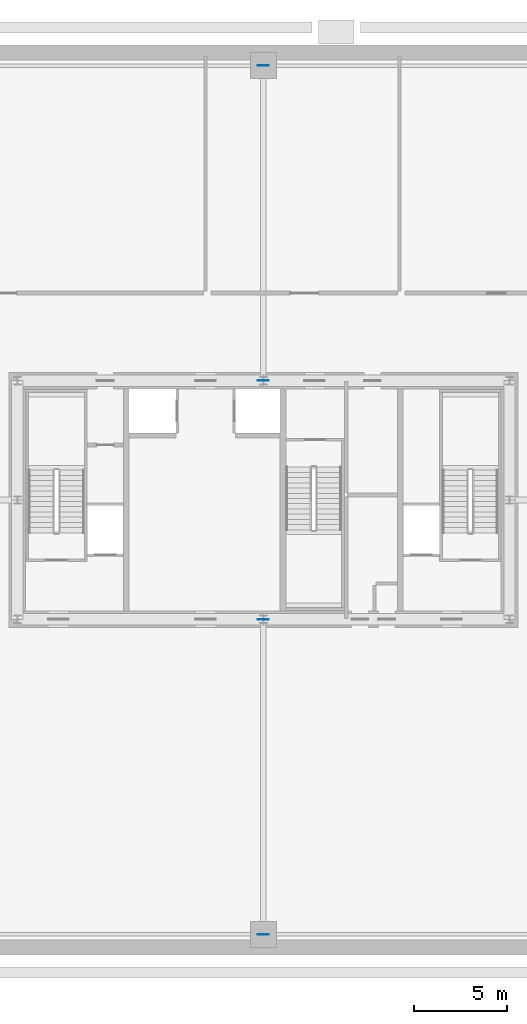
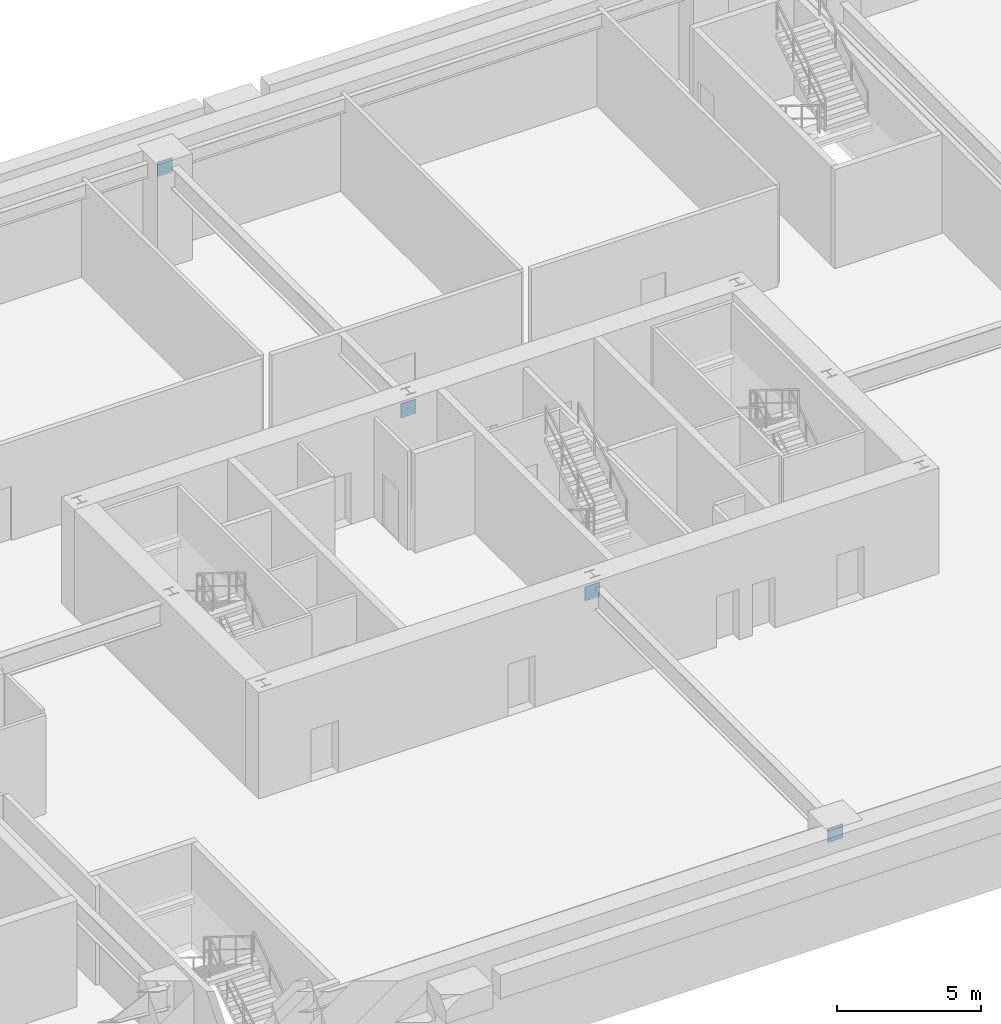
# One storey, part 7 of 9: 4 discrete accessories.
"""IFC4 building model written with IfcOpenShell, lengths in metres."""

import ifcopenshell
import ifcopenshell.guid

model = None  # the IFC model being written
_history = None  # IfcOwnerHistory: only IFC2X3 demands one
_inside = {}  # id of a spatial element -> (the spatial element, [elements in it])
_under = {}  # id of a project, library or spatial element -> (it, [spatial elements below it])
_declared = {}  # id of a project -> (the project, [libraries it declares])
_typed = {}  # id of a type object -> (the type object, [elements of that type])
_made_of = {}  # id of a material, layer set ... -> (it, [elements and type objects made of it])


def new_model(schema):
    """Start an empty IFC model of exactly this schema.

    Asked for "IFC4X3", IfcOpenShell would pick the latest addendum, in which some entities
    have other attributes; the version numbers below select the first issue.
    IFC2X3 requires an IfcOwnerHistory on every rooted entity: one is made here for all.
    """
    global model, _history
    if schema == "IFC4X3":
        model = ifcopenshell.file(schema_version=(4, 3, 0, 0))
    else:
        model = ifcopenshell.file(schema=schema)
    _inside.clear()
    _under.clear()
    _declared.clear()
    _typed.clear()
    _made_of.clear()
    _history = None
    if model.schema == "IFC2X3":
        org = make("IfcOrganization", Name="unknown")
        user = make(
            "IfcPersonAndOrganization",
            ThePerson=make("IfcPerson", FamilyName="unknown"),
            TheOrganization=org,
        )
        app = make(
            "IfcApplication",
            ApplicationDeveloper=org,
            Version="unknown",
            ApplicationFullName="unknown",
            ApplicationIdentifier="unknown",
        )
        _history = make(
            "IfcOwnerHistory",
            OwningUser=user,
            OwningApplication=app,
            ChangeAction="ADDED",
            CreationDate=0,
        )
    return model


def make(cls, **values):
    """One entity of the class cls with the attributes given. An attribute that is None is left unset."""
    return model.create_entity(
        cls, **{name: value for name, value in values.items() if value is not None}
    )


def rooted(cls, **values):
    """An entity with a GlobalId (a new one), such as an element, a storey or a relation."""
    return make(cls, GlobalId=ifcopenshell.guid.new(), OwnerHistory=_history, **values)


def si_unit(unit_type, name, prefix=None):
    """IfcSIUnit, for example si_unit("LENGTHUNIT", "METRE", prefix="MILLI")."""
    return make("IfcSIUnit", UnitType=unit_type, Prefix=prefix, Name=name)


def assignment(units):
    """IfcUnitAssignment: the units of a project."""
    return None if units is None else make("IfcUnitAssignment", Units=units)


def point(xyz):
    """IfcCartesianPoint."""
    return None if xyz is None else make("IfcCartesianPoint", Coordinates=xyz)


def direction(xyz):
    """IfcDirection."""
    return None if xyz is None else make("IfcDirection", DirectionRatios=xyz)


def frame(location, z_axis=None, x_axis=None):
    """IfcAxis2Placement3D, a coordinate frame: its origin and axes. An axis left out is left unset."""
    return make(
        "IfcAxis2Placement3D",
        Location=point(location),
        Axis=direction(z_axis),
        RefDirection=direction(x_axis),
    )


def frame_2d(location, x_axis=None):
    """IfcAxis2Placement2D, a coordinate frame in the plane: its origin and x axis."""
    return make(
        "IfcAxis2Placement2D", Location=point(location), RefDirection=direction(x_axis)
    )


def origin():
    """The frame at (0, 0, 0) with its axes left unset."""
    return frame((0.0, 0.0, 0.0))


def origin_2d():
    """The frame at (0, 0) in the plane with its x axis left unset."""
    return frame_2d((0.0, 0.0))


def place(relative_to, where):
    """IfcLocalPlacement: puts the frame where relative to a parent placement (None: the world)."""
    return make(
        "IfcLocalPlacement", PlacementRelTo=relative_to, RelativePlacement=where
    )


def context(
    kind, dimensions, precision=None, world=None, true_north=None, identifier=None
):
    """IfcGeometricRepresentationContext, for example the 3D "Model" context."""
    return make(
        "IfcGeometricRepresentationContext",
        ContextIdentifier=identifier,
        ContextType=kind,
        CoordinateSpaceDimension=dimensions,
        Precision=precision,
        WorldCoordinateSystem=world,
        TrueNorth=true_north,
    )


def subcontext(parent, identifier, kind, view, scale=None):
    """IfcGeometricRepresentationSubContext, for example "Body" below "Model"."""
    return make(
        "IfcGeometricRepresentationSubContext",
        ContextIdentifier=identifier,
        ContextType=kind,
        ParentContext=parent,
        TargetScale=scale,
        TargetView=view,
    )


def project(units=None, contexts=None):
    """IfcProject with its units and contexts."""
    return rooted(
        "IfcProject",
        Name="project",
        RepresentationContexts=contexts,
        UnitsInContext=assignment(units),
    )


def spatial(cls, under=None, at=None, **own):
    """A site, building, storey or space (cls), placed at a placement, below another one or the project."""
    s = rooted(cls, ObjectPlacement=at, **own)
    if under is not None:
        _under.setdefault(under.id(), (under, []))[1].append(s)
    return s


def profile(cls, at=None, kind="AREA", **sizes):
    """A parametric profile (cls). Its sizes go by their IFC names, for example OverallWidth=200.0."""
    return make(cls, ProfileType=kind, Position=at, **sizes)


def rectangle(**sizes):
    """IfcRectangleProfileDef."""
    return profile("IfcRectangleProfileDef", **sizes)


def extrude(swept, where, along, depth):
    """IfcExtrudedAreaSolid: the profile swept, set in the frame where, extruded along a direction by depth."""
    return make(
        "IfcExtrudedAreaSolid",
        SweptArea=swept,
        Position=where,
        ExtrudedDirection=direction(along),
        Depth=depth,
    )


def shape(context_of_items, identifier, shape_type, items):
    """IfcShapeRepresentation: the items that make up one representation, for example the "Body"."""
    return make(
        "IfcShapeRepresentation",
        ContextOfItems=context_of_items,
        RepresentationIdentifier=identifier,
        RepresentationType=shape_type,
        Items=items,
    )


def source(mapping_origin, context_of_items, identifier, shape_type, items):
    """IfcRepresentationMap: a shape defined once, which mapped items show again and again."""
    return make(
        "IfcRepresentationMap",
        MappingOrigin=mapping_origin,
        MappedRepresentation=shape(context_of_items, identifier, shape_type, items),
    )


def transform(
    local_origin,
    x_axis=None,
    y_axis=None,
    z_axis=None,
    scale=None,
    scale2=None,
    scale3=None,
    uniform=True,
):
    """IfcCartesianTransformationOperator3D, or its non-uniform kind. x_axis, y_axis, z_axis: its Axis1, 2, 3."""
    if uniform:
        return make(
            "IfcCartesianTransformationOperator3D",
            Axis1=direction(x_axis),
            Axis2=direction(y_axis),
            LocalOrigin=point(local_origin),
            Scale=scale,
            Axis3=direction(z_axis),
        )
    return make(
        "IfcCartesianTransformationOperator3DnonUniform",
        Axis1=direction(x_axis),
        Axis2=direction(y_axis),
        LocalOrigin=point(local_origin),
        Scale=scale,
        Axis3=direction(z_axis),
        Scale2=scale2,
        Scale3=scale3,
    )


def mapped(mapping_source, mapping_target):
    """IfcMappedItem: shows the shape of a source again, moved by a transform."""
    return make(
        "IfcMappedItem", MappingSource=mapping_source, MappingTarget=mapping_target
    )


def material(Name=None, Category=None):
    """IfcMaterial."""
    return make("IfcMaterial", Name=Name, Category=Category)


def layer(
    of_material, thickness, ventilated=None, Name=None, Category=None, Priority=None
):
    """IfcMaterialLayer: one layer of a wall or slab, of a material (None: an air gap)."""
    return make(
        "IfcMaterialLayer",
        Material=of_material,
        LayerThickness=thickness,
        IsVentilated=ventilated,
        Name=Name,
        Category=Category,
        Priority=Priority,
    )


def layer_set(layers, Name=None):
    """IfcMaterialLayerSet."""
    return make("IfcMaterialLayerSet", MaterialLayers=layers, LayerSetName=Name)


def made_of(thing, what):
    """Note that an element or type object is made of a material, layer set ...; save() writes the relation."""
    if what is not None:
        _made_of.setdefault(what.id(), (what, []))[1].append(thing)
    return thing


def type_object(cls, material=None, **own):
    """A type object (cls), such as IfcWallType, which elements share."""
    return made_of(rooted(cls, **own), material)


def element(
    cls,
    number,
    at=None,
    inside=None,
    cuts=None,
    type_object=None,
    material=None,
    context=None,
    identifier="Body",
    shape_type=None,
    held_by="IfcProductDefinitionShape",
    body=None,
    shapes=None,
    **own,
):
    """One element of the class cls, such as IfcWall. Its Tag is "e" and its number.

    at: its placement. inside: the storey or other place that contains it. cuts: it is an
    opening in that element (IfcRelVoidsElement). A single representation is given by context,
    identifier, shape_type and body (its items); several are given by shapes. held_by: the class
    of the entity that holds the representations. save() writes the other relations.
    """
    e = rooted(cls, Tag="e%d" % number, ObjectPlacement=at, **own)
    if body is not None:
        shapes = [shape(context, identifier, shape_type, body)]
    if shapes is not None:
        e.Representation = make(held_by, Representations=shapes)
    if inside is not None:
        _inside.setdefault(inside.id(), (inside, []))[1].append(e)
    if cuts is not None:
        rooted(
            "IfcRelVoidsElement", RelatingBuildingElement=cuts, RelatedOpeningElement=e
        )
    if type_object is not None:
        _typed.setdefault(type_object.id(), (type_object, []))[1].append(e)
    return made_of(e, material)


def aggregate(whole, parts):
    """IfcRelAggregates: a whole, such as a stair, and the parts it consists of."""
    return rooted("IfcRelAggregates", RelatingObject=whole, RelatedObjects=parts)


def save(model, path):
    """Write the relations noted so far, then the file.

    IfcRelAggregates (storeys below a building ...), IfcRelContainedInSpatialStructure (elements
    in a storey), IfcRelDefinesByType, IfcRelAssociatesMaterial and IfcRelDeclares: one each for
    every whole, place, type object, material and project.
    """
    for whole, parts in _under.values():
        aggregate(whole, parts)
    for where, things in _inside.values():
        rooted(
            "IfcRelContainedInSpatialStructure",
            RelatedElements=things,
            RelatingStructure=where,
        )
    for kind, things in _typed.values():
        rooted("IfcRelDefinesByType", RelatedObjects=things, RelatingType=kind)
    for what, things in _made_of.values():
        rooted("IfcRelAssociatesMaterial", RelatedObjects=things, RelatingMaterial=what)
    for by, libraries in _declared.values():
        rooted("IfcRelDeclares", RelatingContext=by, RelatedDefinitions=libraries)
    model.write(path)


model = new_model("IFC4")

# Units and contexts
model_context = context("Model", 3, precision=1e-05, world=origin(), true_north=direction((0.0, 1.0)))
body_context = subcontext(model_context, "Body", "Model", "MODEL_VIEW")
ifc_project = project(units=[si_unit("LENGTHUNIT", "METRE"), si_unit("AREAUNIT", "SQUARE_METRE"), si_unit("VOLUMEUNIT", "CUBIC_METRE"), si_unit("PLANEANGLEUNIT", "RADIAN"), si_unit("MASSUNIT", "GRAM", prefix="KILO"), si_unit("THERMODYNAMICTEMPERATUREUNIT", "KELVIN"), si_unit("POWERUNIT", "WATT")], contexts=[model_context])

# Site, building, storey
site_placement = place(None, origin())
site = spatial("IfcSite", under=ifc_project, at=site_placement, CompositionType="ELEMENT")
building_placement = place(site_placement, origin())
building = spatial("IfcBuilding", under=site, at=building_placement, Name="Yuzanri Waterfront Tower", CompositionType="ELEMENT")
storey_placement = place(building_placement, frame((0.0, 0.0, -4.5)))
storey = spatial("IfcBuildingStorey", under=building, at=storey_placement, Name="B01", CompositionType="ELEMENT", Elevation=-4.5)

# Discrete accessories
ifc_material = material(Name="Steel Q355B", Category="steel")
ifc_layer = layer(ifc_material, 0.031982421875)
ifc_layer_set = layer_set([ifc_layer], Name="Steel Q355B")
discrete_accessory_type = type_object("IfcDiscreteAccessoryType", Name="Steel Q355B Core Wall Cast-In Embed Plate 600x600x32", PredefinedType="USERDEFINED", material=ifc_layer_set)
shared_shape = source(origin(), body_context, "Body", "SweptSolid", [
    extrude(rectangle(XDim=0.60009765625, YDim=0.031982421875, at=origin_2d()), origin(), (0.0, 0.0, 1.0), 0.60009765625),
])
for number, where, z_axis, x_axis, name in (
    (1, (37.0, 19.39990234375, 3.449951171875), (0.0, 0.0, 1.0), (1.0, 0.0, 0.0), "Core Wall Cast-In Embed Plate EP-01"),
    (2, (37.0, 32.199951171875, 3.449951171875), (0.0, 0.0, 1.0), (1.0, 0.0, 0.0), "Core Wall Cast-In Embed Plate EP-01"),
    (3, (37.0, 2.5, 3.449951171875), (0.0, 0.0, 1.0), (1.0, 0.0, 0.0), "Core Wall Cast-In Embed Plate EP-01"),
    (4, (37.0, 49.10009765625, 3.449951171875), (0.0, 0.0, 1.0), (1.0, 0.0, 0.0), "Core Wall Cast-In Embed Plate EP-01"),
):
    element("IfcDiscreteAccessory", number, at=place(storey_placement, frame(where, z_axis=z_axis, x_axis=x_axis)), inside=storey, type_object=discrete_accessory_type, Name=name, ObjectType="CAST-IN EMBED PLATE", PredefinedType="USERDEFINED", context=body_context, shape_type="MappedRepresentation", body=[
        mapped(shared_shape, transform((0.0, 0.0, 0.0), scale=1.0)),
    ])

save(model, "model.ifc")
